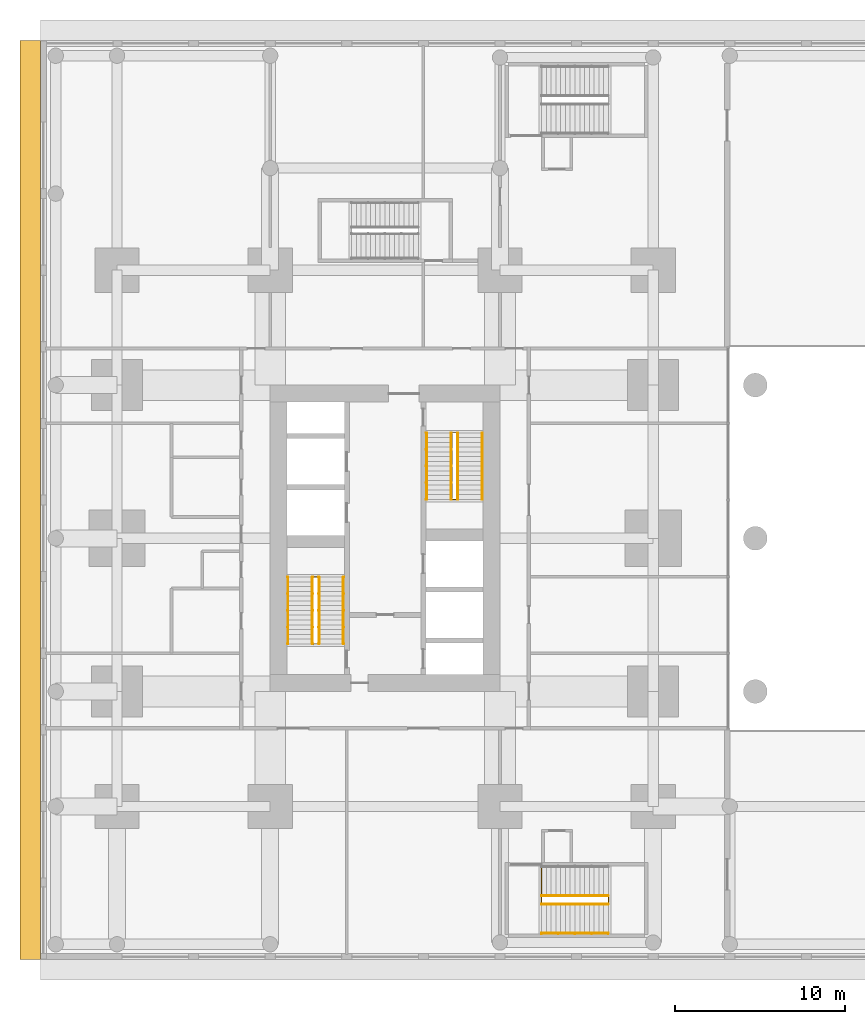
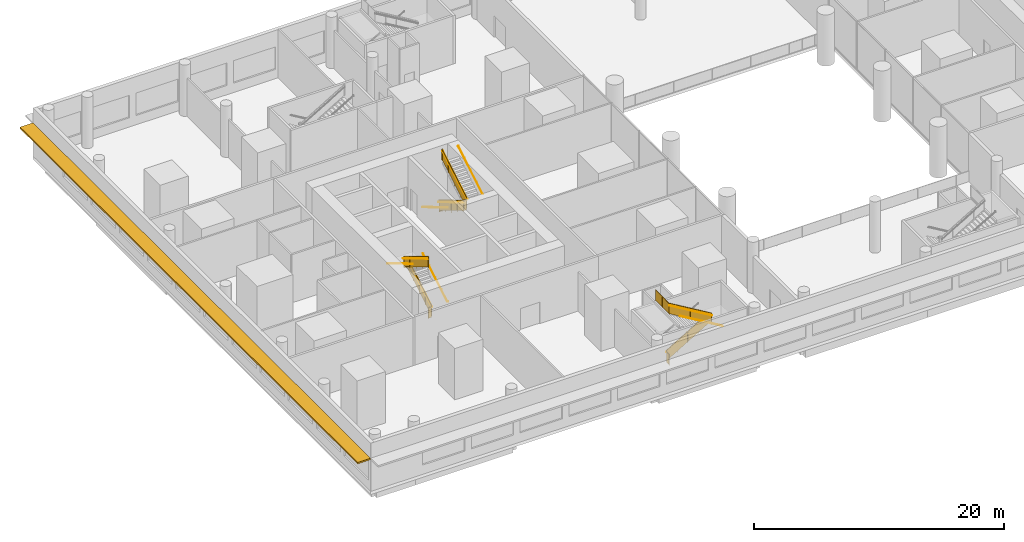
# One storey, part 19 of 22: 14 railings, 1 shading device.
"""IFC4 building model written with IfcOpenShell, lengths in metres."""

import ifcopenshell
import ifcopenshell.guid

model = None  # the IFC model being written
_history = None  # IfcOwnerHistory: only IFC2X3 demands one
_inside = {}  # id of a spatial element -> (the spatial element, [elements in it])
_under = {}  # id of a project, library or spatial element -> (it, [spatial elements below it])
_declared = {}  # id of a project -> (the project, [libraries it declares])
_typed = {}  # id of a type object -> (the type object, [elements of that type])
_made_of = {}  # id of a material, layer set ... -> (it, [elements and type objects made of it])


def new_model(schema):
    """Start an empty IFC model of exactly this schema.

    Asked for "IFC4X3", IfcOpenShell would pick the latest addendum, in which some entities
    have other attributes; the version numbers below select the first issue.
    IFC2X3 requires an IfcOwnerHistory on every rooted entity: one is made here for all.
    """
    global model, _history
    if schema == "IFC4X3":
        model = ifcopenshell.file(schema_version=(4, 3, 0, 0))
    else:
        model = ifcopenshell.file(schema=schema)
    _inside.clear()
    _under.clear()
    _declared.clear()
    _typed.clear()
    _made_of.clear()
    _history = None
    if model.schema == "IFC2X3":
        org = make("IfcOrganization", Name="unknown")
        user = make(
            "IfcPersonAndOrganization",
            ThePerson=make("IfcPerson", FamilyName="unknown"),
            TheOrganization=org,
        )
        app = make(
            "IfcApplication",
            ApplicationDeveloper=org,
            Version="unknown",
            ApplicationFullName="unknown",
            ApplicationIdentifier="unknown",
        )
        _history = make(
            "IfcOwnerHistory",
            OwningUser=user,
            OwningApplication=app,
            ChangeAction="ADDED",
            CreationDate=0,
        )
    return model


def make(cls, **values):
    """One entity of the class cls with the attributes given. An attribute that is None is left unset."""
    return model.create_entity(
        cls, **{name: value for name, value in values.items() if value is not None}
    )


def rooted(cls, **values):
    """An entity with a GlobalId (a new one), such as an element, a storey or a relation."""
    return make(cls, GlobalId=ifcopenshell.guid.new(), OwnerHistory=_history, **values)


def si_unit(unit_type, name, prefix=None):
    """IfcSIUnit, for example si_unit("LENGTHUNIT", "METRE", prefix="MILLI")."""
    return make("IfcSIUnit", UnitType=unit_type, Prefix=prefix, Name=name)


def assignment(units):
    """IfcUnitAssignment: the units of a project."""
    return None if units is None else make("IfcUnitAssignment", Units=units)


def point(xyz):
    """IfcCartesianPoint."""
    return None if xyz is None else make("IfcCartesianPoint", Coordinates=xyz)


def direction(xyz):
    """IfcDirection."""
    return None if xyz is None else make("IfcDirection", DirectionRatios=xyz)


def frame(location, z_axis=None, x_axis=None):
    """IfcAxis2Placement3D, a coordinate frame: its origin and axes. An axis left out is left unset."""
    return make(
        "IfcAxis2Placement3D",
        Location=point(location),
        Axis=direction(z_axis),
        RefDirection=direction(x_axis),
    )


def frame_2d(location, x_axis=None):
    """IfcAxis2Placement2D, a coordinate frame in the plane: its origin and x axis."""
    return make(
        "IfcAxis2Placement2D", Location=point(location), RefDirection=direction(x_axis)
    )


def origin():
    """The frame at (0, 0, 0) with its axes left unset."""
    return frame((0.0, 0.0, 0.0))


def origin_2d():
    """The frame at (0, 0) in the plane with its x axis left unset."""
    return frame_2d((0.0, 0.0))


def place(relative_to, where):
    """IfcLocalPlacement: puts the frame where relative to a parent placement (None: the world)."""
    return make(
        "IfcLocalPlacement", PlacementRelTo=relative_to, RelativePlacement=where
    )


def context(
    kind, dimensions, precision=None, world=None, true_north=None, identifier=None
):
    """IfcGeometricRepresentationContext, for example the 3D "Model" context."""
    return make(
        "IfcGeometricRepresentationContext",
        ContextIdentifier=identifier,
        ContextType=kind,
        CoordinateSpaceDimension=dimensions,
        Precision=precision,
        WorldCoordinateSystem=world,
        TrueNorth=true_north,
    )


def subcontext(parent, identifier, kind, view, scale=None):
    """IfcGeometricRepresentationSubContext, for example "Body" below "Model"."""
    return make(
        "IfcGeometricRepresentationSubContext",
        ContextIdentifier=identifier,
        ContextType=kind,
        ParentContext=parent,
        TargetScale=scale,
        TargetView=view,
    )


def project(units=None, contexts=None):
    """IfcProject with its units and contexts."""
    return rooted(
        "IfcProject",
        Name="project",
        RepresentationContexts=contexts,
        UnitsInContext=assignment(units),
    )


def spatial(cls, under=None, at=None, **own):
    """A site, building, storey or space (cls), placed at a placement, below another one or the project."""
    s = rooted(cls, ObjectPlacement=at, **own)
    if under is not None:
        _under.setdefault(under.id(), (under, []))[1].append(s)
    return s


def polyline(points):
    """IfcPolyline through the points."""
    return make("IfcPolyline", Points=[point(p) for p in points])


def profile(cls, at=None, kind="AREA", **sizes):
    """A parametric profile (cls). Its sizes go by their IFC names, for example OverallWidth=200.0."""
    return make(cls, ProfileType=kind, Position=at, **sizes)


def rectangle(**sizes):
    """IfcRectangleProfileDef."""
    return profile("IfcRectangleProfileDef", **sizes)


def circle(**sizes):
    """IfcCircleProfileDef."""
    return profile("IfcCircleProfileDef", **sizes)


def outline(outer, holes=None, kind="AREA"):
    """IfcArbitraryClosedProfileDef: a profile drawn as a closed curve; with holes, ...WithVoids."""
    if holes is None:
        return make("IfcArbitraryClosedProfileDef", ProfileType=kind, OuterCurve=outer)
    return make(
        "IfcArbitraryProfileDefWithVoids",
        ProfileType=kind,
        OuterCurve=outer,
        InnerCurves=holes,
    )


def extrude(swept, where, along, depth):
    """IfcExtrudedAreaSolid: the profile swept, set in the frame where, extruded along a direction by depth."""
    return make(
        "IfcExtrudedAreaSolid",
        SweptArea=swept,
        Position=where,
        ExtrudedDirection=direction(along),
        Depth=depth,
    )


def shape(context_of_items, identifier, shape_type, items):
    """IfcShapeRepresentation: the items that make up one representation, for example the "Body"."""
    return make(
        "IfcShapeRepresentation",
        ContextOfItems=context_of_items,
        RepresentationIdentifier=identifier,
        RepresentationType=shape_type,
        Items=items,
    )


def material(Name=None, Category=None):
    """IfcMaterial."""
    return make("IfcMaterial", Name=Name, Category=Category)


def layer(
    of_material, thickness, ventilated=None, Name=None, Category=None, Priority=None
):
    """IfcMaterialLayer: one layer of a wall or slab, of a material (None: an air gap)."""
    return make(
        "IfcMaterialLayer",
        Material=of_material,
        LayerThickness=thickness,
        IsVentilated=ventilated,
        Name=Name,
        Category=Category,
        Priority=Priority,
    )


def layer_set(layers, Name=None):
    """IfcMaterialLayerSet."""
    return make("IfcMaterialLayerSet", MaterialLayers=layers, LayerSetName=Name)


def made_of(thing, what):
    """Note that an element or type object is made of a material, layer set ...; save() writes the relation."""
    if what is not None:
        _made_of.setdefault(what.id(), (what, []))[1].append(thing)
    return thing


def type_object(cls, material=None, **own):
    """A type object (cls), such as IfcWallType, which elements share."""
    return made_of(rooted(cls, **own), material)


def element(
    cls,
    number,
    at=None,
    inside=None,
    cuts=None,
    type_object=None,
    material=None,
    context=None,
    identifier="Body",
    shape_type=None,
    held_by="IfcProductDefinitionShape",
    body=None,
    shapes=None,
    **own,
):
    """One element of the class cls, such as IfcWall. Its Tag is "e" and its number.

    at: its placement. inside: the storey or other place that contains it. cuts: it is an
    opening in that element (IfcRelVoidsElement). A single representation is given by context,
    identifier, shape_type and body (its items); several are given by shapes. held_by: the class
    of the entity that holds the representations. save() writes the other relations.
    """
    e = rooted(cls, Tag="e%d" % number, ObjectPlacement=at, **own)
    if body is not None:
        shapes = [shape(context, identifier, shape_type, body)]
    if shapes is not None:
        e.Representation = make(held_by, Representations=shapes)
    if inside is not None:
        _inside.setdefault(inside.id(), (inside, []))[1].append(e)
    if cuts is not None:
        rooted(
            "IfcRelVoidsElement", RelatingBuildingElement=cuts, RelatedOpeningElement=e
        )
    if type_object is not None:
        _typed.setdefault(type_object.id(), (type_object, []))[1].append(e)
    return made_of(e, material)


def aggregate(whole, parts):
    """IfcRelAggregates: a whole, such as a stair, and the parts it consists of."""
    return rooted("IfcRelAggregates", RelatingObject=whole, RelatedObjects=parts)


def save(model, path):
    """Write the relations noted so far, then the file.

    IfcRelAggregates (storeys below a building ...), IfcRelContainedInSpatialStructure (elements
    in a storey), IfcRelDefinesByType, IfcRelAssociatesMaterial and IfcRelDeclares: one each for
    every whole, place, type object, material and project.
    """
    for whole, parts in _under.values():
        aggregate(whole, parts)
    for where, things in _inside.values():
        rooted(
            "IfcRelContainedInSpatialStructure",
            RelatedElements=things,
            RelatingStructure=where,
        )
    for kind, things in _typed.values():
        rooted("IfcRelDefinesByType", RelatedObjects=things, RelatingType=kind)
    for what, things in _made_of.values():
        rooted("IfcRelAssociatesMaterial", RelatedObjects=things, RelatingMaterial=what)
    for by, libraries in _declared.values():
        rooted("IfcRelDeclares", RelatingContext=by, RelatedDefinitions=libraries)
    model.write(path)


model = new_model("IFC4")

# Units and contexts
model_context = context("Model", 3, precision=1e-05, world=origin(), true_north=direction((0.0, 1.0)))
body_context = subcontext(model_context, "Body", "Model", "MODEL_VIEW")
ifc_project = project(units=[si_unit("LENGTHUNIT", "METRE"), si_unit("AREAUNIT", "SQUARE_METRE"), si_unit("VOLUMEUNIT", "CUBIC_METRE"), si_unit("PLANEANGLEUNIT", "RADIAN"), si_unit("MASSUNIT", "GRAM", prefix="KILO")], contexts=[model_context])

# Site, building, storey
site_placement = place(None, origin())
site = spatial("IfcSite", under=ifc_project, at=site_placement, CompositionType="ELEMENT")
building_placement = place(site_placement, origin())
building = spatial("IfcBuilding", under=site, at=building_placement, Name="Namib Vertical Campus", CompositionType="ELEMENT")
storey_placement = place(building_placement, frame((0.0, 0.0, 11.0)))
storey = spatial("IfcBuildingStorey", under=building, at=storey_placement, Name="L02", CompositionType="ELEMENT", Elevation=11.0)

# Railings
ifc_material_1 = material(Name="Steel handrail", Category="steel")
railing_type_1 = type_object("IfcRailingType", Name="Handrail 900", PredefinedType="HANDRAIL", material=ifc_material_1)
railing_1_placement = place(storey_placement, frame((17.800048828125, 14.050048828125, 0.166748046875)))
element("IfcRailing", 1, at=railing_1_placement, inside=storey, type_object=railing_type_1, Name="Handrail HR1 A-S1 L02 1", PredefinedType="HANDRAIL", context=body_context, shape_type="SweptSolid", body=[
    extrude(circle(Radius=0.02392578125, at=origin_2d()), frame((0.0, 0.0, 0.8759765625), z_axis=(0.0, 0.859296244711, 0.511478214419), x_axis=(-1.0, 0.0, 0.0)), (0.0, 0.0, 1.0), 4.561767578125),
    extrude(circle(Radius=0.008056640625, at=origin_2d()), frame((0.0, 0.0, 0.8759765625), z_axis=(1.0, 0.0, 0.0), x_axis=(0.0, 0.0, 1.0)), (0.0, 0.0, 1.0), 0.050048828125),
    extrude(circle(Radius=0.008056640625, at=origin_2d()), frame((0.0, 0.97998046875, 1.459228515625), z_axis=(1.0, 0.0, 0.0), x_axis=(0.0, 0.0, 1.0)), (0.0, 0.0, 1.0), 0.050048828125),
    extrude(circle(Radius=0.008056640625, at=origin_2d()), frame((0.0, 1.9599609375, 2.04248046875), z_axis=(1.0, 0.0, 0.0), x_axis=(0.0, 0.0, 1.0)), (0.0, 0.0, 1.0), 0.050048828125),
    extrude(circle(Radius=0.008056640625, at=origin_2d()), frame((0.0, 2.93994140625, 2.625732421875), z_axis=(1.0, 0.0, 0.0), x_axis=(0.0, 0.0, 1.0)), (0.0, 0.0, 1.0), 0.050048828125),
    extrude(circle(Radius=0.008056640625, at=origin_2d()), frame((0.0, 3.919921875, 3.208984375), z_axis=(1.0, 0.0, 0.0), x_axis=(0.0, 0.0, 1.0)), (0.0, 0.0, 1.0), 0.050048828125),
])
railing_2_placement = place(storey_placement, frame((14.550048828125, 17.969970703125, 2.666748046875)))
element("IfcRailing", 2, at=railing_2_placement, inside=storey, type_object=railing_type_1, Name="Handrail HR1 A-S1 L02 2", PredefinedType="HANDRAIL", context=body_context, shape_type="SweptSolid", body=[
    extrude(circle(Radius=0.02392578125, at=origin_2d()), frame((0.0, 0.0, 0.8759765625), z_axis=(0.0, -0.859296244711, 0.511478214419), x_axis=(1.0, 0.0, 0.0)), (0.0, 0.0, 1.0), 4.561767578125),
    extrude(circle(Radius=0.008056640625, at=origin_2d()), frame((0.0, 0.0, 0.8759765625), z_axis=(-1.0, 0.0, 0.0), x_axis=(0.0, 0.0, 1.0)), (0.0, 0.0, 1.0), 0.050048828125),
    extrude(circle(Radius=0.008056640625, at=origin_2d()), frame((0.0, -0.97998046875, 1.459228515625), z_axis=(-1.0, 0.0, 0.0), x_axis=(0.0, 0.0, 1.0)), (0.0, 0.0, 1.0), 0.050048828125),
    extrude(circle(Radius=0.008056640625, at=origin_2d()), frame((0.0, -1.9599609375, 2.04248046875), z_axis=(-1.0, 0.0, 0.0), x_axis=(0.0, 0.0, 1.0)), (0.0, 0.0, 1.0), 0.050048828125),
    extrude(circle(Radius=0.008056640625, at=origin_2d()), frame((0.0, -2.93994140625, 2.625732421875), z_axis=(-1.0, 0.0, 0.0), x_axis=(0.0, 0.0, 1.0)), (0.0, 0.0, 1.0), 0.050048828125),
    extrude(circle(Radius=0.008056640625, at=origin_2d()), frame((0.0, -3.919921875, 3.208984375), z_axis=(-1.0, 0.0, 0.0), x_axis=(0.0, 0.0, 1.0)), (0.0, 0.0, 1.0), 0.050048828125),
])
railing_3_placement = place(storey_placement, frame((16.375, 14.050048828125, 0.166748046875)))
element("IfcRailing", 3, at=railing_3_placement, inside=storey, type_object=railing_type_1, Name="Handrail HR1 A-S1 L02 1 at the well", PredefinedType="HANDRAIL", context=body_context, shape_type="SweptSolid", body=[
    extrude(circle(Radius=0.02392578125, at=origin_2d()), frame((0.0, 0.0, 0.8759765625), z_axis=(0.0, 0.859296244711, 0.511478214419), x_axis=(-1.0, 0.0, 0.0)), (0.0, 0.0, 1.0), 4.561767578125),
    extrude(circle(Radius=0.008056640625, at=origin_2d()), frame((0.0, 0.0, 0.8759765625), z_axis=(-1.0, 0.0, 0.0), x_axis=(0.0, 0.0, 1.0)), (0.0, 0.0, 1.0), 0.0400390625),
    extrude(circle(Radius=0.008056640625, at=origin_2d()), frame((0.0, 0.97998046875, 1.459228515625), z_axis=(-1.0, 0.0, 0.0), x_axis=(0.0, 0.0, 1.0)), (0.0, 0.0, 1.0), 0.0400390625),
    extrude(circle(Radius=0.008056640625, at=origin_2d()), frame((0.0, 1.9599609375, 2.04248046875), z_axis=(-1.0, 0.0, 0.0), x_axis=(0.0, 0.0, 1.0)), (0.0, 0.0, 1.0), 0.0400390625),
    extrude(circle(Radius=0.008056640625, at=origin_2d()), frame((0.0, 2.93994140625, 2.625732421875), z_axis=(-1.0, 0.0, 0.0), x_axis=(0.0, 0.0, 1.0)), (0.0, 0.0, 1.0), 0.0400390625),
    extrude(circle(Radius=0.008056640625, at=origin_2d()), frame((0.0, 3.919921875, 3.208984375), z_axis=(-1.0, 0.0, 0.0), x_axis=(0.0, 0.0, 1.0)), (0.0, 0.0, 1.0), 0.0400390625),
])
railing_4_placement = place(storey_placement, frame((15.97509765625, 17.969970703125, 2.666748046875)))
element("IfcRailing", 4, at=railing_4_placement, inside=storey, type_object=railing_type_1, Name="Handrail HR1 A-S1 L02 2 at the well", PredefinedType="HANDRAIL", context=body_context, shape_type="SweptSolid", body=[
    extrude(circle(Radius=0.02392578125, at=origin_2d()), frame((0.0, 0.0, 0.8759765625), z_axis=(0.0, -0.859296244711, 0.511478214419), x_axis=(1.0, 0.0, 0.0)), (0.0, 0.0, 1.0), 4.561767578125),
    extrude(circle(Radius=0.008056640625, at=origin_2d()), frame((0.0, 0.0, 0.8759765625), z_axis=(1.0, 0.0, 0.0), x_axis=(0.0, 0.0, 1.0)), (0.0, 0.0, 1.0), 0.0400390625),
    extrude(circle(Radius=0.008056640625, at=origin_2d()), frame((0.0, -0.97998046875, 1.459228515625), z_axis=(1.0, 0.0, 0.0), x_axis=(0.0, 0.0, 1.0)), (0.0, 0.0, 1.0), 0.0400390625),
    extrude(circle(Radius=0.008056640625, at=origin_2d()), frame((0.0, -1.9599609375, 2.04248046875), z_axis=(1.0, 0.0, 0.0), x_axis=(0.0, 0.0, 1.0)), (0.0, 0.0, 1.0), 0.0400390625),
    extrude(circle(Radius=0.008056640625, at=origin_2d()), frame((0.0, -2.93994140625, 2.625732421875), z_axis=(1.0, 0.0, 0.0), x_axis=(0.0, 0.0, 1.0)), (0.0, 0.0, 1.0), 0.0400390625),
    extrude(circle(Radius=0.008056640625, at=origin_2d()), frame((0.0, -3.919921875, 3.208984375), z_axis=(1.0, 0.0, 0.0), x_axis=(0.0, 0.0, 1.0)), (0.0, 0.0, 1.0), 0.0400390625),
])
railing_5_placement = place(storey_placement, frame((22.699951171875, 26.449951171875, 0.166748046875)))
element("IfcRailing", 5, at=railing_5_placement, inside=storey, type_object=railing_type_1, Name="Handrail HR1 A-S2 L02 1", PredefinedType="HANDRAIL", context=body_context, shape_type="SweptSolid", body=[
    extrude(circle(Radius=0.02392578125, at=origin_2d()), frame((0.0, 0.0, 0.8759765625), z_axis=(0.0, -0.859296244711, 0.511478214419), x_axis=(1.0, 0.0, 0.0)), (0.0, 0.0, 1.0), 4.561767578125),
    extrude(circle(Radius=0.008056640625, at=origin_2d()), frame((0.0, 0.0, 0.8759765625), z_axis=(-1.0, 0.0, 0.0), x_axis=(0.0, 0.0, 1.0)), (0.0, 0.0, 1.0), 0.050048828125),
    extrude(circle(Radius=0.008056640625, at=origin_2d()), frame((0.0, -0.97998046875, 1.459228515625), z_axis=(-1.0, 0.0, 0.0), x_axis=(0.0, 0.0, 1.0)), (0.0, 0.0, 1.0), 0.050048828125),
    extrude(circle(Radius=0.008056640625, at=origin_2d()), frame((0.0, -1.9599609375, 2.04248046875), z_axis=(-1.0, 0.0, 0.0), x_axis=(0.0, 0.0, 1.0)), (0.0, 0.0, 1.0), 0.050048828125),
    extrude(circle(Radius=0.008056640625, at=origin_2d()), frame((0.0, -2.93994140625, 2.625732421875), z_axis=(-1.0, 0.0, 0.0), x_axis=(0.0, 0.0, 1.0)), (0.0, 0.0, 1.0), 0.050048828125),
    extrude(circle(Radius=0.008056640625, at=origin_2d()), frame((0.0, -3.919921875, 3.208984375), z_axis=(-1.0, 0.0, 0.0), x_axis=(0.0, 0.0, 1.0)), (0.0, 0.0, 1.0), 0.050048828125),
])
railing_6_placement = place(storey_placement, frame((25.949951171875, 22.530029296875, 2.666748046875)))
element("IfcRailing", 6, at=railing_6_placement, inside=storey, type_object=railing_type_1, Name="Handrail HR1 A-S2 L02 2", PredefinedType="HANDRAIL", context=body_context, shape_type="SweptSolid", body=[
    extrude(circle(Radius=0.02392578125, at=origin_2d()), frame((0.0, 0.0, 0.8759765625), z_axis=(0.0, 0.859296244711, 0.511478214419), x_axis=(-1.0, 0.0, 0.0)), (0.0, 0.0, 1.0), 4.561767578125),
    extrude(circle(Radius=0.008056640625, at=origin_2d()), frame((0.0, 0.0, 0.8759765625), z_axis=(1.0, 0.0, 0.0), x_axis=(0.0, 0.0, 1.0)), (0.0, 0.0, 1.0), 0.050048828125),
    extrude(circle(Radius=0.008056640625, at=origin_2d()), frame((0.0, 0.97998046875, 1.459228515625), z_axis=(1.0, 0.0, 0.0), x_axis=(0.0, 0.0, 1.0)), (0.0, 0.0, 1.0), 0.050048828125),
    extrude(circle(Radius=0.008056640625, at=origin_2d()), frame((0.0, 1.9599609375, 2.04248046875), z_axis=(1.0, 0.0, 0.0), x_axis=(0.0, 0.0, 1.0)), (0.0, 0.0, 1.0), 0.050048828125),
    extrude(circle(Radius=0.008056640625, at=origin_2d()), frame((0.0, 2.93994140625, 2.625732421875), z_axis=(1.0, 0.0, 0.0), x_axis=(0.0, 0.0, 1.0)), (0.0, 0.0, 1.0), 0.050048828125),
    extrude(circle(Radius=0.008056640625, at=origin_2d()), frame((0.0, 3.919921875, 3.208984375), z_axis=(1.0, 0.0, 0.0), x_axis=(0.0, 0.0, 1.0)), (0.0, 0.0, 1.0), 0.050048828125),
])
railing_7_placement = place(storey_placement, frame((24.125, 26.449951171875, 0.166748046875)))
element("IfcRailing", 7, at=railing_7_placement, inside=storey, type_object=railing_type_1, Name="Handrail HR1 A-S2 L02 1 at the well", PredefinedType="HANDRAIL", context=body_context, shape_type="SweptSolid", body=[
    extrude(circle(Radius=0.02392578125, at=origin_2d()), frame((0.0, 0.0, 0.8759765625), z_axis=(0.0, -0.859296244711, 0.511478214419), x_axis=(1.0, 0.0, 0.0)), (0.0, 0.0, 1.0), 4.561767578125),
    extrude(circle(Radius=0.008056640625, at=origin_2d()), frame((0.0, 0.0, 0.8759765625), z_axis=(1.0, 0.0, 0.0), x_axis=(0.0, 0.0, 1.0)), (0.0, 0.0, 1.0), 0.0400390625),
    extrude(circle(Radius=0.008056640625, at=origin_2d()), frame((0.0, -0.97998046875, 1.459228515625), z_axis=(1.0, 0.0, 0.0), x_axis=(0.0, 0.0, 1.0)), (0.0, 0.0, 1.0), 0.0400390625),
    extrude(circle(Radius=0.008056640625, at=origin_2d()), frame((0.0, -1.9599609375, 2.04248046875), z_axis=(1.0, 0.0, 0.0), x_axis=(0.0, 0.0, 1.0)), (0.0, 0.0, 1.0), 0.0400390625),
    extrude(circle(Radius=0.008056640625, at=origin_2d()), frame((0.0, -2.93994140625, 2.625732421875), z_axis=(1.0, 0.0, 0.0), x_axis=(0.0, 0.0, 1.0)), (0.0, 0.0, 1.0), 0.0400390625),
    extrude(circle(Radius=0.008056640625, at=origin_2d()), frame((0.0, -3.919921875, 3.208984375), z_axis=(1.0, 0.0, 0.0), x_axis=(0.0, 0.0, 1.0)), (0.0, 0.0, 1.0), 0.0400390625),
])
railing_8_placement = place(storey_placement, frame((24.52490234375, 22.530029296875, 2.666748046875)))
element("IfcRailing", 8, at=railing_8_placement, inside=storey, type_object=railing_type_1, Name="Handrail HR1 A-S2 L02 2 at the well", PredefinedType="HANDRAIL", context=body_context, shape_type="SweptSolid", body=[
    extrude(circle(Radius=0.02392578125, at=origin_2d()), frame((0.0, 0.0, 0.8759765625), z_axis=(0.0, 0.859296244711, 0.511478214419), x_axis=(-1.0, 0.0, 0.0)), (0.0, 0.0, 1.0), 4.561767578125),
    extrude(circle(Radius=0.008056640625, at=origin_2d()), frame((0.0, 0.0, 0.8759765625), z_axis=(-1.0, 0.0, 0.0), x_axis=(0.0, 0.0, 1.0)), (0.0, 0.0, 1.0), 0.0400390625),
    extrude(circle(Radius=0.008056640625, at=origin_2d()), frame((0.0, 0.97998046875, 1.459228515625), z_axis=(-1.0, 0.0, 0.0), x_axis=(0.0, 0.0, 1.0)), (0.0, 0.0, 1.0), 0.0400390625),
    extrude(circle(Radius=0.008056640625, at=origin_2d()), frame((0.0, 1.9599609375, 2.04248046875), z_axis=(-1.0, 0.0, 0.0), x_axis=(0.0, 0.0, 1.0)), (0.0, 0.0, 1.0), 0.0400390625),
    extrude(circle(Radius=0.008056640625, at=origin_2d()), frame((0.0, 2.93994140625, 2.625732421875), z_axis=(-1.0, 0.0, 0.0), x_axis=(0.0, 0.0, 1.0)), (0.0, 0.0, 1.0), 0.0400390625),
    extrude(circle(Radius=0.008056640625, at=origin_2d()), frame((0.0, 3.919921875, 3.208984375), z_axis=(-1.0, 0.0, 0.0), x_axis=(0.0, 0.0, 1.0)), (0.0, 0.0, 1.0), 0.0400390625),
])
railing_9_placement = place(storey_placement, frame((33.3662109375, -2.949951171875, 2.666748046875)))
element("IfcRailing", 9, at=railing_9_placement, inside=storey, type_object=railing_type_1, Name="Handrail HR1 P-S2 L02 2", PredefinedType="HANDRAIL", context=body_context, shape_type="SweptSolid", body=[
    extrude(circle(Radius=0.02392578125, at=origin_2d()), frame((0.0, 0.0, 0.8759765625), z_axis=(-0.859310244771, 0.0, 0.511454693235), x_axis=(0.0, -1.0, 0.0)), (0.0, 0.0, 1.0), 4.56201171875),
    extrude(circle(Radius=0.008056640625, at=origin_2d()), frame((0.0, 0.0, 0.8759765625), z_axis=(0.0, -1.0, 0.0), x_axis=(0.0, 0.0, 1.0)), (0.0, 0.0, 1.0), 0.050048828125),
    extrude(circle(Radius=0.008056640625, at=origin_2d()), frame((-0.97998046875, 0.0, 1.459228515625), z_axis=(0.0, -1.0, 0.0), x_axis=(0.0, 0.0, 1.0)), (0.0, 0.0, 1.0), 0.050048828125),
    extrude(circle(Radius=0.008056640625, at=origin_2d()), frame((-1.9599609375, 0.0, 2.04248046875), z_axis=(0.0, -1.0, 0.0), x_axis=(0.0, 0.0, 1.0)), (0.0, 0.0, 1.0), 0.050048828125),
    extrude(circle(Radius=0.008056640625, at=origin_2d()), frame((-2.940185546875, 0.0, 2.625732421875), z_axis=(0.0, -1.0, 0.0), x_axis=(0.0, 0.0, 1.0)), (0.0, 0.0, 1.0), 0.050048828125),
    extrude(circle(Radius=0.008056640625, at=origin_2d()), frame((-3.920166015625, 0.0, 3.208984375), z_axis=(0.0, -1.0, 0.0), x_axis=(0.0, 0.0, 1.0)), (0.0, 0.0, 1.0), 0.050048828125),
])
railing_10_placement = place(storey_placement, frame((29.446044921875, -0.75, 0.166748046875)))
element("IfcRailing", 10, at=railing_10_placement, inside=storey, type_object=railing_type_1, Name="Handrail HR1 P-S2 L02 1 at the well", PredefinedType="HANDRAIL", context=body_context, shape_type="SweptSolid", body=[
    extrude(circle(Radius=0.02392578125, at=origin_2d()), frame((0.0, 0.0, 0.8759765625), z_axis=(0.859310244771, 0.0, 0.511454693235), x_axis=(0.0, 1.0, 0.0)), (0.0, 0.0, 1.0), 4.56201171875),
    extrude(circle(Radius=0.008056640625, at=origin_2d()), frame((0.0, 0.0, 0.8759765625), z_axis=(0.0, -1.0, 0.0), x_axis=(0.0, 0.0, 1.0)), (0.0, 0.0, 1.0), 0.0400390625),
    extrude(circle(Radius=0.008056640625, at=origin_2d()), frame((0.97998046875, 0.0, 1.459228515625), z_axis=(0.0, -1.0, 0.0), x_axis=(0.0, 0.0, 1.0)), (0.0, 0.0, 1.0), 0.0400390625),
    extrude(circle(Radius=0.008056640625, at=origin_2d()), frame((1.9599609375, 0.0, 2.04248046875), z_axis=(0.0, -1.0, 0.0), x_axis=(0.0, 0.0, 1.0)), (0.0, 0.0, 1.0), 0.0400390625),
    extrude(circle(Radius=0.008056640625, at=origin_2d()), frame((2.940185546875, 0.0, 2.625732421875), z_axis=(0.0, -1.0, 0.0), x_axis=(0.0, 0.0, 1.0)), (0.0, 0.0, 1.0), 0.0400390625),
    extrude(circle(Radius=0.008056640625, at=origin_2d()), frame((3.920166015625, 0.0, 3.208984375), z_axis=(0.0, -1.0, 0.0), x_axis=(0.0, 0.0, 1.0)), (0.0, 0.0, 1.0), 0.0400390625),
])
railing_11_placement = place(storey_placement, frame((33.3662109375, -1.25, 2.666748046875)))
element("IfcRailing", 11, at=railing_11_placement, inside=storey, type_object=railing_type_1, Name="Handrail HR1 P-S2 L02 2 at the well", PredefinedType="HANDRAIL", context=body_context, shape_type="SweptSolid", body=[
    extrude(circle(Radius=0.02392578125, at=origin_2d()), frame((0.0, 0.0, 0.8759765625), z_axis=(-0.859310244771, 0.0, 0.511454693235), x_axis=(0.0, -1.0, 0.0)), (0.0, 0.0, 1.0), 4.56201171875),
    extrude(circle(Radius=0.008056640625, at=origin_2d()), frame((0.0, 0.0, 0.8759765625), z_axis=(0.0, 1.0, 0.0), x_axis=(0.0, 0.0, 1.0)), (0.0, 0.0, 1.0), 0.0400390625),
    extrude(circle(Radius=0.008056640625, at=origin_2d()), frame((-0.97998046875, 0.0, 1.459228515625), z_axis=(0.0, 1.0, 0.0), x_axis=(0.0, 0.0, 1.0)), (0.0, 0.0, 1.0), 0.0400390625),
    extrude(circle(Radius=0.008056640625, at=origin_2d()), frame((-1.9599609375, 0.0, 2.04248046875), z_axis=(0.0, 1.0, 0.0), x_axis=(0.0, 0.0, 1.0)), (0.0, 0.0, 1.0), 0.0400390625),
    extrude(circle(Radius=0.008056640625, at=origin_2d()), frame((-2.940185546875, 0.0, 2.625732421875), z_axis=(0.0, 1.0, 0.0), x_axis=(0.0, 0.0, 1.0)), (0.0, 0.0, 1.0), 0.0400390625),
    extrude(circle(Radius=0.008056640625, at=origin_2d()), frame((-3.920166015625, 0.0, 3.208984375), z_axis=(0.0, 1.0, 0.0), x_axis=(0.0, 0.0, 1.0)), (0.0, 0.0, 1.0), 0.0400390625),
])
ifc_material_2 = material(Name="Steel balustrade", Category="steel")
railing_type_2 = type_object("IfcRailingType", Name="Stair guard 1100", PredefinedType="GUARDRAIL", material=ifc_material_2)
railing_12_placement = place(storey_placement, frame((16.02490234375, 14.050048828125, 0.0)))
element("IfcRailing", 12, at=railing_12_placement, inside=storey, type_object=railing_type_2, Name="Stair guard GR1 A-S1 L02", PredefinedType="GUARDRAIL", context=body_context, shape_type="SweptSolid", body=[
    extrude(circle(Radius=0.02392578125, at=origin_2d()), frame((0.0, 0.0, 1.076171875), z_axis=(1.0, 0.0, 0.0), x_axis=(0.0, 1.0, 0.0)), (0.0, 0.0, 1.0), 0.300048828125),
    extrude(outline(polyline([(0.02099609375, 0.050048828125), (0.279052734375, 0.050048828125), (0.279052734375, 1.052001953125), (0.02099609375, 1.052001953125), (0.02099609375, 0.050048828125)])), frame((0.0, 0.010009765625, 0.0), z_axis=(0.0, -1.0, 0.0), x_axis=(1.0, 0.0, 0.0)), (0.0, 0.0, 1.0), 0.02001953125),
    extrude(circle(Radius=0.02392578125, at=origin_2d()), frame((0.300048828125, 0.0, 1.076171875), z_axis=(0.0, 0.0, 1.0), x_axis=(1.0, 0.0, 0.0)), (0.0, 0.0, 1.0), 0.166748046875),
    extrude(circle(Radius=0.02392578125, at=origin_2d()), frame((0.300048828125, 0.0, 1.24267578125), z_axis=(0.0, 0.859296244711, 0.511478214419), x_axis=(-1.0, 0.0, 0.0)), (0.0, 0.0, 1.0), 4.561767578125),
    extrude(outline(polyline([(0.02099609375, 0.0625), (3.89892578125, 2.370849609375), (3.89892578125, 3.372802734375), (0.02099609375, 1.064453125), (0.02099609375, 0.0625)])), frame((0.2900390625, 0.0, 0.166748046875), z_axis=(1.0, 0.0, 0.0), x_axis=(0.0, 1.0, 0.0)), (0.0, 0.0, 1.0), 0.02001953125),
    extrude(circle(Radius=0.02392578125, at=origin_2d()), frame((0.300048828125, 3.919921875, 3.576171875), z_axis=(-1.0, 0.0, 0.0), x_axis=(0.0, -1.0, 0.0)), (0.0, 0.0, 1.0), 0.300048828125),
    extrude(outline(polyline([(0.02099609375, 0.050048828125), (0.279052734375, 0.050048828125), (0.279052734375, 1.052001953125), (0.02099609375, 1.052001953125), (0.02099609375, 0.050048828125)])), frame((0.300048828125, 3.909912109375, 2.5), z_axis=(0.0, 1.0, 0.0), x_axis=(-1.0, 0.0, 0.0)), (0.0, 0.0, 1.0), 0.02001953125),
    extrude(circle(Radius=0.02392578125, at=origin_2d()), frame((0.0, 3.919921875, 3.576171875), z_axis=(0.0, 0.0, 1.0), x_axis=(1.0, 0.0, 0.0)), (0.0, 0.0, 1.0), 0.166748046875),
    extrude(circle(Radius=0.02392578125, at=origin_2d()), frame((0.0, 3.919921875, 3.74267578125), z_axis=(0.0, -0.859296244711, 0.511478214419), x_axis=(1.0, 0.0, 0.0)), (0.0, 0.0, 1.0), 4.561767578125),
    extrude(outline(polyline([(0.02099609375, 0.0625), (3.89892578125, 2.370849609375), (3.89892578125, 3.372802734375), (0.02099609375, 1.064453125), (0.02099609375, 0.0625)])), frame((0.010009765625, 3.919921875, 2.666748046875), z_axis=(-1.0, 0.0, 0.0), x_axis=(0.0, -1.0, 0.0)), (0.0, 0.0, 1.0), 0.02001953125),
    extrude(circle(Radius=0.02392578125, at=origin_2d()), frame((0.0, 0.0, 6.076171875), z_axis=(0.0, -1.0, 0.0), x_axis=(1.0, 0.0, 0.0)), (0.0, 0.0, 1.0), 0.050048828125),
    extrude(outline(polyline([(0.02099609375, 0.050048828125), (0.029052734375, 0.050048828125), (0.029052734375, 1.052001953125), (0.02099609375, 1.052001953125), (0.02099609375, 0.050048828125)])), frame((0.010009765625, 0.0, 5.0), z_axis=(-1.0, 0.0, 0.0), x_axis=(0.0, -1.0, 0.0)), (0.0, 0.0, 1.0), 0.02001953125),
    extrude(circle(Radius=0.02099609375, at=origin_2d()), origin(), (0.0, 0.0, 1.0), 1.052001953125),
    extrude(circle(Radius=0.02099609375, at=origin_2d()), frame((0.300048828125, 0.0, 0.166748046875)), (0.0, 0.0, 1.0), 1.052001953125),
    extrude(circle(Radius=0.02099609375, at=origin_2d()), frame((0.300048828125, 0.97998046875, 0.666748046875)), (0.0, 0.0, 1.0), 1.13525390625),
    extrude(circle(Radius=0.02099609375, at=origin_2d()), frame((0.300048828125, 1.9599609375, 1.166748046875)), (0.0, 0.0, 1.0), 1.218505859375),
    extrude(circle(Radius=0.02099609375, at=origin_2d()), frame((0.300048828125, 2.93994140625, 1.83349609375)), (0.0, 0.0, 1.0), 1.13525390625),
    extrude(circle(Radius=0.02099609375, at=origin_2d()), frame((0.300048828125, 3.919921875, 2.5)), (0.0, 0.0, 1.0), 1.052001953125),
    extrude(circle(Radius=0.02099609375, at=origin_2d()), frame((0.0, 3.919921875, 2.666748046875)), (0.0, 0.0, 1.0), 1.052001953125),
    extrude(circle(Radius=0.02099609375, at=origin_2d()), frame((0.0, 2.93994140625, 3.166748046875)), (0.0, 0.0, 1.0), 1.13525390625),
    extrude(circle(Radius=0.02099609375, at=origin_2d()), frame((0.0, 1.9599609375, 3.666748046875)), (0.0, 0.0, 1.0), 1.218505859375),
    extrude(circle(Radius=0.02099609375, at=origin_2d()), frame((0.0, 0.97998046875, 4.33349609375)), (0.0, 0.0, 1.0), 1.13525390625),
    extrude(circle(Radius=0.02099609375, at=origin_2d()), frame((0.0, 0.0, 5.0)), (0.0, 0.0, 1.0), 1.052001953125),
    extrude(circle(Radius=0.02099609375, at=origin_2d()), frame((0.0, -0.050048828125, 5.0)), (0.0, 0.0, 1.0), 1.052001953125),
])
railing_13_placement = place(storey_placement, frame((24.47509765625, 26.449951171875, 0.0)))
element("IfcRailing", 13, at=railing_13_placement, inside=storey, type_object=railing_type_2, Name="Stair guard GR1 A-S2 L02", PredefinedType="GUARDRAIL", context=body_context, shape_type="SweptSolid", body=[
    extrude(circle(Radius=0.02392578125, at=origin_2d()), frame((0.0, 0.0, 1.076171875), z_axis=(-1.0, 0.0, 0.0), x_axis=(0.0, -1.0, 0.0)), (0.0, 0.0, 1.0), 0.300048828125),
    extrude(outline(polyline([(0.02099609375, 0.050048828125), (0.279052734375, 0.050048828125), (0.279052734375, 1.052001953125), (0.02099609375, 1.052001953125), (0.02099609375, 0.050048828125)])), frame((0.0, -0.010009765625, 0.0), z_axis=(0.0, 1.0, 0.0), x_axis=(-1.0, 0.0, 0.0)), (0.0, 0.0, 1.0), 0.02001953125),
    extrude(circle(Radius=0.02392578125, at=origin_2d()), frame((-0.300048828125, 0.0, 1.076171875), z_axis=(0.0, 0.0, 1.0), x_axis=(1.0, 0.0, 0.0)), (0.0, 0.0, 1.0), 0.166748046875),
    extrude(circle(Radius=0.02392578125, at=origin_2d()), frame((-0.300048828125, 0.0, 1.24267578125), z_axis=(0.0, -0.859296244711, 0.511478214419), x_axis=(1.0, 0.0, 0.0)), (0.0, 0.0, 1.0), 4.561767578125),
    extrude(outline(polyline([(0.02099609375, 0.0625), (3.89892578125, 2.370849609375), (3.89892578125, 3.372802734375), (0.02099609375, 1.064453125), (0.02099609375, 0.0625)])), frame((-0.2900390625, 0.0, 0.166748046875), z_axis=(-1.0, 0.0, 0.0), x_axis=(0.0, -1.0, 0.0)), (0.0, 0.0, 1.0), 0.02001953125),
    extrude(circle(Radius=0.02392578125, at=origin_2d()), frame((-0.300048828125, -3.919921875, 3.576171875), z_axis=(1.0, 0.0, 0.0), x_axis=(0.0, 1.0, 0.0)), (0.0, 0.0, 1.0), 0.300048828125),
    extrude(outline(polyline([(0.02099609375, 0.050048828125), (0.279052734375, 0.050048828125), (0.279052734375, 1.052001953125), (0.02099609375, 1.052001953125), (0.02099609375, 0.050048828125)])), frame((-0.300048828125, -3.909912109375, 2.5), z_axis=(0.0, -1.0, 0.0), x_axis=(1.0, 0.0, 0.0)), (0.0, 0.0, 1.0), 0.02001953125),
    extrude(circle(Radius=0.02392578125, at=origin_2d()), frame((0.0, -3.919921875, 3.576171875), z_axis=(0.0, 0.0, 1.0), x_axis=(1.0, 0.0, 0.0)), (0.0, 0.0, 1.0), 0.166748046875),
    extrude(circle(Radius=0.02392578125, at=origin_2d()), frame((0.0, -3.919921875, 3.74267578125), z_axis=(0.0, 0.859296244711, 0.511478214419), x_axis=(-1.0, 0.0, 0.0)), (0.0, 0.0, 1.0), 4.561767578125),
    extrude(outline(polyline([(0.02099609375, 0.0625), (3.89892578125, 2.370849609375), (3.89892578125, 3.372802734375), (0.02099609375, 1.064453125), (0.02099609375, 0.0625)])), frame((-0.010009765625, -3.919921875, 2.666748046875), z_axis=(1.0, 0.0, 0.0), x_axis=(0.0, 1.0, 0.0)), (0.0, 0.0, 1.0), 0.02001953125),
    extrude(circle(Radius=0.02392578125, at=origin_2d()), frame((0.0, 0.0, 6.076171875), z_axis=(0.0, 1.0, 0.0), x_axis=(-1.0, 0.0, 0.0)), (0.0, 0.0, 1.0), 0.050048828125),
    extrude(outline(polyline([(0.02099609375, 0.050048828125), (0.029052734375, 0.050048828125), (0.029052734375, 1.052001953125), (0.02099609375, 1.052001953125), (0.02099609375, 0.050048828125)])), frame((-0.010009765625, 0.0, 5.0), z_axis=(1.0, 0.0, 0.0), x_axis=(0.0, 1.0, 0.0)), (0.0, 0.0, 1.0), 0.02001953125),
    extrude(circle(Radius=0.02099609375, at=origin_2d()), origin(), (0.0, 0.0, 1.0), 1.052001953125),
    extrude(circle(Radius=0.02099609375, at=origin_2d()), frame((-0.300048828125, 0.0, 0.166748046875)), (0.0, 0.0, 1.0), 1.052001953125),
    extrude(circle(Radius=0.02099609375, at=origin_2d()), frame((-0.300048828125, -0.97998046875, 0.666748046875)), (0.0, 0.0, 1.0), 1.13525390625),
    extrude(circle(Radius=0.02099609375, at=origin_2d()), frame((-0.300048828125, -1.9599609375, 1.166748046875)), (0.0, 0.0, 1.0), 1.218505859375),
    extrude(circle(Radius=0.02099609375, at=origin_2d()), frame((-0.300048828125, -2.93994140625, 1.83349609375)), (0.0, 0.0, 1.0), 1.13525390625),
    extrude(circle(Radius=0.02099609375, at=origin_2d()), frame((-0.300048828125, -3.919921875, 2.5)), (0.0, 0.0, 1.0), 1.052001953125),
    extrude(circle(Radius=0.02099609375, at=origin_2d()), frame((0.0, -3.919921875, 2.666748046875)), (0.0, 0.0, 1.0), 1.052001953125),
    extrude(circle(Radius=0.02099609375, at=origin_2d()), frame((0.0, -2.93994140625, 3.166748046875)), (0.0, 0.0, 1.0), 1.13525390625),
    extrude(circle(Radius=0.02099609375, at=origin_2d()), frame((0.0, -1.9599609375, 3.666748046875)), (0.0, 0.0, 1.0), 1.218505859375),
    extrude(circle(Radius=0.02099609375, at=origin_2d()), frame((0.0, -0.97998046875, 4.33349609375)), (0.0, 0.0, 1.0), 1.13525390625),
    extrude(circle(Radius=0.02099609375, at=origin_2d()), frame((0.0, 0.0, 5.0)), (0.0, 0.0, 1.0), 1.052001953125),
    extrude(circle(Radius=0.02099609375, at=origin_2d()), frame((0.0, 0.050048828125, 5.0)), (0.0, 0.0, 1.0), 1.052001953125),
])
railing_14_placement = place(storey_placement, frame((29.446044921875, -1.199951171875, 0.0)))
element("IfcRailing", 14, at=railing_14_placement, inside=storey, type_object=railing_type_2, Name="Stair guard GR1 P-S2 L02", PredefinedType="GUARDRAIL", context=body_context, shape_type="SweptSolid", body=[
    extrude(circle(Radius=0.02392578125, at=origin_2d()), frame((0.0, 0.0, 1.076171875), z_axis=(0.0, 1.0, 0.0), x_axis=(-1.0, 0.0, 0.0)), (0.0, 0.0, 1.0), 0.39990234375),
    extrude(outline(polyline([(0.02099609375, 0.050048828125), (0.37890625, 0.050048828125), (0.37890625, 1.052001953125), (0.02099609375, 1.052001953125), (0.02099609375, 0.050048828125)])), frame((-0.010009765625, 0.0, 0.0), z_axis=(1.0, 0.0, 0.0), x_axis=(0.0, 1.0, 0.0)), (0.0, 0.0, 1.0), 0.02001953125),
    extrude(circle(Radius=0.02392578125, at=origin_2d()), frame((0.0, 0.39990234375, 1.076171875), z_axis=(0.0, 0.0, 1.0), x_axis=(1.0, 0.0, 0.0)), (0.0, 0.0, 1.0), 0.166748046875),
    extrude(circle(Radius=0.02392578125, at=origin_2d()), frame((0.0, 0.39990234375, 1.24267578125), z_axis=(0.859310244771, 0.0, 0.511454693235), x_axis=(0.0, 1.0, 0.0)), (0.0, 0.0, 1.0), 4.56201171875),
    extrude(outline(polyline([(0.02099609375, 0.0625), (3.899169921875, 2.370849609375), (3.899169921875, 3.372802734375), (0.02099609375, 1.064453125), (0.02099609375, 0.0625)])), frame((0.0, 0.409912109375, 0.166748046875), z_axis=(0.0, -1.0, 0.0), x_axis=(1.0, 0.0, 0.0)), (0.0, 0.0, 1.0), 0.02001953125),
    extrude(circle(Radius=0.02392578125, at=origin_2d()), frame((3.920166015625, 0.39990234375, 3.576171875), z_axis=(0.0, -1.0, 0.0), x_axis=(1.0, 0.0, 0.0)), (0.0, 0.0, 1.0), 0.39990234375),
    extrude(outline(polyline([(0.02099609375, 0.050048828125), (0.37890625, 0.050048828125), (0.37890625, 1.052001953125), (0.02099609375, 1.052001953125), (0.02099609375, 0.050048828125)])), frame((3.93017578125, 0.39990234375, 2.5), z_axis=(-1.0, 0.0, 0.0), x_axis=(0.0, -1.0, 0.0)), (0.0, 0.0, 1.0), 0.02001953125),
    extrude(circle(Radius=0.02392578125, at=origin_2d()), frame((3.920166015625, 0.0, 3.576171875), z_axis=(0.0, 0.0, 1.0), x_axis=(1.0, 0.0, 0.0)), (0.0, 0.0, 1.0), 0.166748046875),
    extrude(circle(Radius=0.02392578125, at=origin_2d()), frame((3.920166015625, 0.0, 3.74267578125), z_axis=(-0.859310244771, 0.0, 0.511454693235), x_axis=(0.0, -1.0, 0.0)), (0.0, 0.0, 1.0), 4.56201171875),
    extrude(outline(polyline([(0.02099609375, 0.0625), (3.899169921875, 2.370849609375), (3.899169921875, 3.372802734375), (0.02099609375, 1.064453125), (0.02099609375, 0.0625)])), frame((3.920166015625, -0.010009765625, 2.666748046875), z_axis=(0.0, 1.0, 0.0), x_axis=(-1.0, 0.0, 0.0)), (0.0, 0.0, 1.0), 0.02001953125),
    extrude(circle(Radius=0.02392578125, at=origin_2d()), frame((0.0, 0.0, 6.076171875), z_axis=(0.0, 1.0, 0.0), x_axis=(-1.0, 0.0, 0.0)), (0.0, 0.0, 1.0), 2.14990234375),
    extrude(outline(polyline([(0.02099609375, 0.050048828125), (2.12890625, 0.050048828125), (2.12890625, 1.052001953125), (0.02099609375, 1.052001953125), (0.02099609375, 0.050048828125)])), frame((-0.010009765625, 0.0, 5.0), z_axis=(1.0, 0.0, 0.0), x_axis=(0.0, 1.0, 0.0)), (0.0, 0.0, 1.0), 0.02001953125),
    extrude(circle(Radius=0.02099609375, at=origin_2d()), origin(), (0.0, 0.0, 1.0), 1.052001953125),
    extrude(circle(Radius=0.02099609375, at=origin_2d()), frame((0.0, 0.39990234375, 0.166748046875)), (0.0, 0.0, 1.0), 1.052001953125),
    extrude(circle(Radius=0.02099609375, at=origin_2d()), frame((0.97998046875, 0.39990234375, 0.666748046875)), (0.0, 0.0, 1.0), 1.13525390625),
    extrude(circle(Radius=0.02099609375, at=origin_2d()), frame((1.9599609375, 0.39990234375, 1.33349609375)), (0.0, 0.0, 1.0), 1.052001953125),
    extrude(circle(Radius=0.02099609375, at=origin_2d()), frame((2.940185546875, 0.39990234375, 1.83349609375)), (0.0, 0.0, 1.0), 1.13525390625),
    extrude(circle(Radius=0.02099609375, at=origin_2d()), frame((3.920166015625, 0.39990234375, 2.5)), (0.0, 0.0, 1.0), 1.052001953125),
    extrude(circle(Radius=0.02099609375, at=origin_2d()), frame((3.920166015625, 0.0, 2.666748046875)), (0.0, 0.0, 1.0), 1.052001953125),
    extrude(circle(Radius=0.02099609375, at=origin_2d()), frame((2.940185546875, 0.0, 3.166748046875)), (0.0, 0.0, 1.0), 1.13525390625),
    extrude(circle(Radius=0.02099609375, at=origin_2d()), frame((1.9599609375, 0.0, 3.83349609375)), (0.0, 0.0, 1.0), 1.052001953125),
    extrude(circle(Radius=0.02099609375, at=origin_2d()), frame((0.97998046875, 0.0, 4.33349609375)), (0.0, 0.0, 1.0), 1.13525390625),
    extrude(circle(Radius=0.02099609375, at=origin_2d()), frame((0.0, 0.0, 5.0)), (0.0, 0.0, 1.0), 1.052001953125),
    extrude(circle(Radius=0.02099609375, at=origin_2d()), frame((0.0, 1.074951171875, 5.0)), (0.0, 0.0, 1.0), 1.052001953125),
    extrude(circle(Radius=0.02099609375, at=origin_2d()), frame((0.0, 2.14990234375, 5.0)), (0.0, 0.0, 1.0), 1.052001953125),
])

# Shading device
ifc_material_3 = material(Name="Concrete C40/50 precast", Category="concrete")
ifc_layer = layer(ifc_material_3, 0.14990234375)
ifc_layer_set = layer_set([ifc_layer], Name="Concrete C40/50 precast")
shading_device_type = type_object("IfcShadingDeviceType", Name="Sunshade hood 1200", PredefinedType="SHUTTER", material=ifc_layer_set)
shading_device_placement = place(storey_placement, frame((-0.60009765625, 22.5, 3.10009765625), z_axis=(0.0, 0.0, 1.0), x_axis=(0.0, -1.0, 0.0)))
element("IfcShadingDevice", 15, at=shading_device_placement, inside=storey, type_object=shading_device_type, Name="Sunshade SH2 L02 4", PredefinedType="SHUTTER", context=body_context, shape_type="SweptSolid", body=[
    extrude(rectangle(XDim=54.0, YDim=1.199951171875, at=origin_2d()), origin(), (0.0, 0.0, 1.0), 0.14990234375),
])

save(model, "model.ifc")
